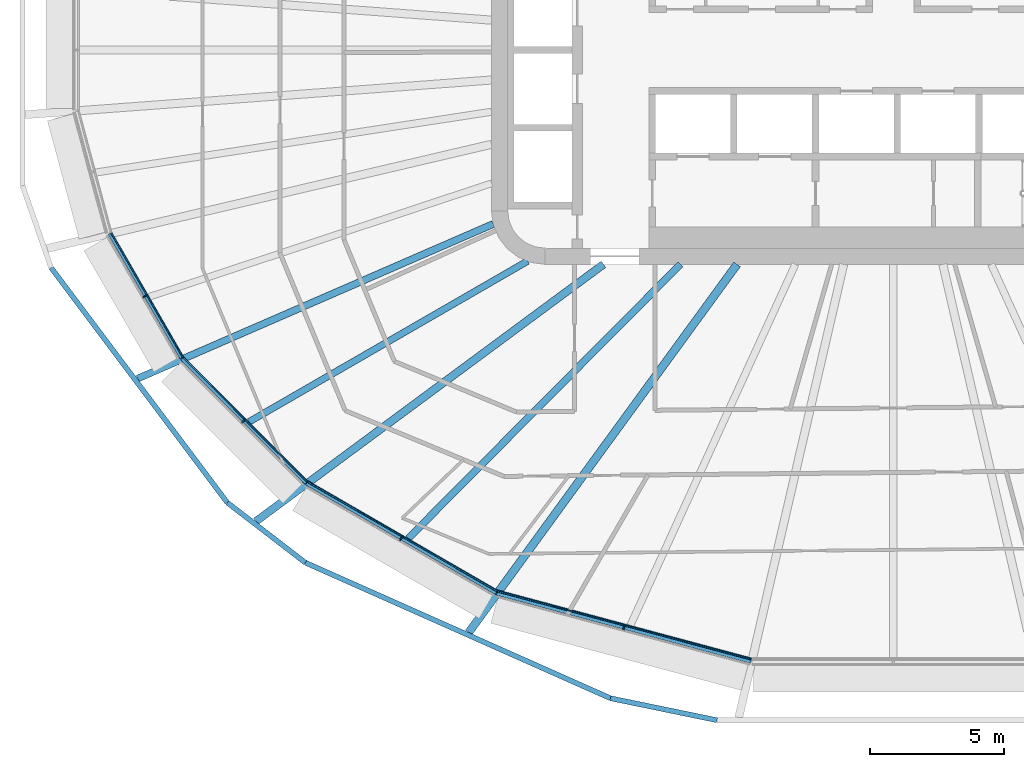
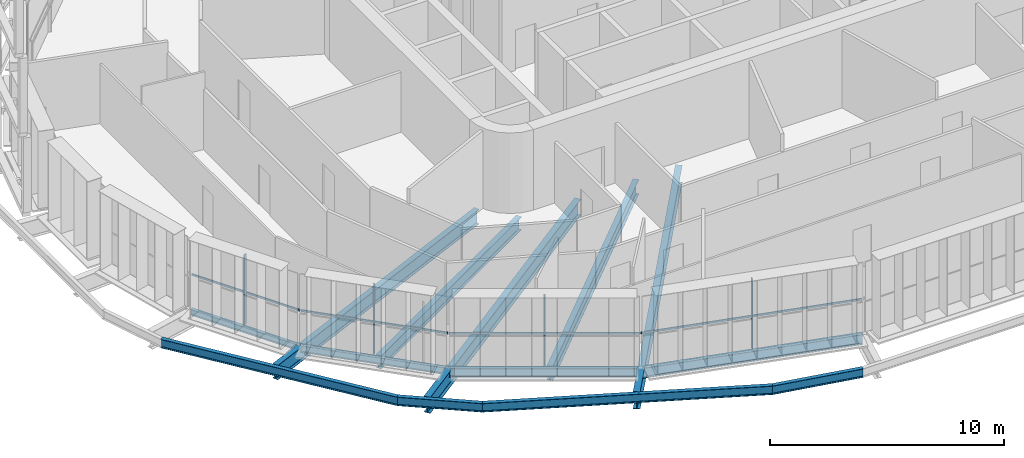
# One storey, part 1 of 24: 13 beams, 8 members, 4 elements without a shape of their own.
"""IFC4 building model written with IfcOpenShell, lengths in metres."""

from ifc_helpers import new_model, si_unit, direction, frame, origin, origin_2d, place, context, subcontext, project, spatial, rectangle, i_section, extrude, material, layer, layer_set, material_profile, profile_set, type_object, element, aggregate, save


model = new_model("IFC4")

# Units and contexts
model_context = context("Model", 3, precision=1e-05, world=origin(), true_north=direction((0.0, 1.0)))
body_context = subcontext(model_context, "Body", "Model", "MODEL_VIEW")
ifc_project = project(units=[si_unit("LENGTHUNIT", "METRE"), si_unit("AREAUNIT", "SQUARE_METRE"), si_unit("VOLUMEUNIT", "CUBIC_METRE"), si_unit("PLANEANGLEUNIT", "RADIAN"), si_unit("MASSUNIT", "GRAM", prefix="KILO")], contexts=[model_context])

# Site, building, storey
site_placement = place(None, origin())
site = spatial("IfcSite", under=ifc_project, at=site_placement, CompositionType="ELEMENT")
building_placement = place(site_placement, origin())
building = spatial("IfcBuilding", under=site, at=building_placement, Name="Sahrelin Media Tower", CompositionType="ELEMENT")
storey_placement = place(building_placement, frame((0.0, 0.0, 58.800048828125)))
storey = spatial("IfcBuildingStorey", under=building, at=storey_placement, Name="L09", CompositionType="ELEMENT", Elevation=58.800048828125)

# Beams
ifc_material_1 = material(Name="Steel S355", Category="steel")
ifc_material_profile_1 = material_profile(ifc_material_1, i_section(OverallWidth=0.1650390625, OverallDepth=0.303466796875, WebThickness=0.006103515625, FlangeThickness=0.01025390625, FilletRadius=0.0087890625, at=origin_2d()), Name="UB 305x165x40")
ifc_profile_set_1 = profile_set([ifc_material_profile_1], Name="Steel S355")
beam_type_1 = type_object("IfcBeamType", Name="Edge beam EB2", PredefinedType="BEAM", material=ifc_profile_set_1)
beam_1_placement = place(storey_placement, frame((-26.554443359375, -11.48974609375, -0.3017578125), z_axis=(-0.500011394563, 0.86601882503, 0.0), x_axis=(-0.86601882503, -0.500011394563, 0.0)))
element("IfcBeam", 1, at=beam_1_placement, inside=storey, type_object=beam_type_1, Name="Edge beam L09-11", PredefinedType="BEAM", context=body_context, shape_type="SweptSolid", body=[
    extrude(i_section(OverallWidth=0.1650390625, OverallDepth=0.303466796875, WebThickness=0.006103515625, FlangeThickness=0.01025390625, FilletRadius=0.0087890625, at=origin_2d()), origin(), (0.0, 0.0, 1.0), 5.363525390625),
])
ifc_material_profile_2 = material_profile(ifc_material_1, i_section(OverallWidth=0.17138671875, OverallDepth=0.35498046875, WebThickness=0.00732421875, FlangeThickness=0.011474609375, FilletRadius=0.01025390625, at=origin_2d()), Name="UB 356x171x51")
ifc_profile_set_2 = profile_set([ifc_material_profile_2], Name="Steel S355")
beam_type_2 = type_object("IfcBeamType", Name="Edge beam EB3", PredefinedType="BEAM", material=ifc_profile_set_2)
beam_2_placement = place(storey_placement, frame((-21.91455078125, -16.135009765625, -0.32763671875), z_axis=(-0.707106781187, 0.707106781187, 0.0), x_axis=(-0.707106781187, -0.707106781187, 0.0)))
element("IfcBeam", 2, at=beam_2_placement, inside=storey, type_object=beam_type_2, Name="Edge beam L09-10", PredefinedType="BEAM", context=body_context, shape_type="SweptSolid", body=[
    extrude(i_section(OverallWidth=0.17138671875, OverallDepth=0.35498046875, WebThickness=0.00732421875, FlangeThickness=0.011474609375, FilletRadius=0.01025390625, at=origin_2d()), origin(), (0.0, 0.0, 1.0), 6.536865234375),
])
ifc_material_profile_3 = material_profile(ifc_material_1, i_section(OverallWidth=0.1904296875, OverallDepth=0.45703125, WebThickness=0.009033203125, FlangeThickness=0.014404296875, FilletRadius=0.01025390625, at=origin_2d()), Name="UB 457x191x74")
ifc_profile_set_3 = profile_set([ifc_material_profile_3], Name="Steel S355")
beam_type_3 = type_object("IfcBeamType", Name="Edge beam EB5", PredefinedType="BEAM", material=ifc_profile_set_3)
beam_3_placement = place(storey_placement, frame((-14.8134765625, -20.2392578125, -0.378662109375), z_axis=(-0.866019440968, 0.500010327758, 0.0), x_axis=(-0.500010327758, -0.866019440968, 0.0)))
element("IfcBeam", 3, at=beam_3_placement, inside=storey, type_object=beam_type_3, Name="Edge beam L09-09", PredefinedType="BEAM", context=body_context, shape_type="SweptSolid", body=[
    extrude(i_section(OverallWidth=0.1904296875, OverallDepth=0.45703125, WebThickness=0.009033203125, FlangeThickness=0.014404296875, FilletRadius=0.01025390625, at=origin_2d()), origin(), (0.0, 0.0, 1.0), 8.173095703125),
])
ifc_material_profile_4 = material_profile(ifc_material_1, i_section(OverallWidth=0.208740234375, OverallDepth=0.5283203125, WebThickness=0.009521484375, FlangeThickness=0.01318359375, FilletRadius=0.0126953125, at=origin_2d()), Name="UB 533x210x82")
ifc_profile_set_4 = profile_set([ifc_material_profile_4], Name="Steel S355")
beam_type_4 = type_object("IfcBeamType", Name="Edge beam EB6", PredefinedType="BEAM", material=ifc_profile_set_4)
beam_4_placement = place(storey_placement, frame((-5.3037109375, -22.791259765625, -0.414306640625), z_axis=(-0.96592551844, 0.25882019401, 0.0), x_axis=(-0.25882019401, -0.96592551844, 0.0)))
element("IfcBeam", 4, at=beam_4_placement, inside=storey, type_object=beam_type_4, Name="Edge beam L09-08", PredefinedType="BEAM", context=body_context, shape_type="SweptSolid", body=[
    extrude(i_section(OverallWidth=0.208740234375, OverallDepth=0.5283203125, WebThickness=0.009521484375, FlangeThickness=0.01318359375, FilletRadius=0.0126953125, at=origin_2d()), origin(), (0.0, 0.0, 1.0), 9.817626953125),
])

# Curtain wall, member
ifc_material_2 = material(Name="Champagne anodised aluminium 6063-T6", Category="aluminium")
ifc_layer = layer(ifc_material_2, 0.14990234375)
ifc_layer_set = layer_set([ifc_layer], Name="Tower ribbon curtain wall")
curtain_wall_type = type_object("IfcCurtainWallType", Name="Tower ribbon curtain wall", PredefinedType="NOTDEFINED", material=ifc_layer_set)
curtain_wall_1_placement = place(storey_placement, frame((-28.025390625, -9.2421875, 0.0), z_axis=(0.0, 0.0, 1.0), x_axis=(1.0, 0.0, 0.0)))
curtain_wall_1 = element("IfcCurtainWall", 5, at=curtain_wall_1_placement, inside=storey, type_object=curtain_wall_type, Name="L09:CW:L09-14", PredefinedType="NOTDEFINED")
ifc_material_profile_5 = material_profile(ifc_material_2, rectangle(XDim=0.06005859375, YDim=0.14990234375, at=origin_2d()), Name="Mullion 60x150")
ifc_profile_set_5 = profile_set([ifc_material_profile_5], Name="Champagne anodised aluminium 6063-T6")
member_type_1 = type_object("IfcMemberType", Name="Mullion 60x150 CW1", PredefinedType="MULLION", material=ifc_profile_set_5)
member_1_placement = place(storey_placement, frame((-27.943115234375, -9.194580078125, 0.0), z_axis=(0.0, 0.0, 1.0), x_axis=(0.500007557478, -0.866021040428, 0.0)))
member_1 = element("IfcMember", 6, at=member_1_placement, type_object=member_type_1, Name="L09:CWM:L09-14", PredefinedType="MULLION", context=body_context, shape_type="SweptSolid", body=[
    extrude(rectangle(XDim=0.06005859375, YDim=0.14990234375, at=origin_2d()), origin(), (0.0, 0.0, 1.0), 3.6484375),
])

curtain_wall_2_placement = place(storey_placement, frame((-24.331787109375, -13.929931640625, 0.0), z_axis=(0.0, 0.0, 1.0), x_axis=(1.0, 0.0, 0.0)))
curtain_wall_2 = element("IfcCurtainWall", 7, at=curtain_wall_2_placement, inside=storey, type_object=curtain_wall_type, Name="L09:CW:L09-15", PredefinedType="NOTDEFINED")
member_2_placement = place(storey_placement, frame((-24.2646484375, -13.86279296875, 0.0), z_axis=(0.0, 0.0, 1.0), x_axis=(0.707106781187, -0.707106781187, 0.0)))
member_2 = element("IfcMember", 8, at=member_2_placement, type_object=member_type_1, Name="L09:CWM:L09-15", PredefinedType="MULLION", context=body_context, shape_type="SweptSolid", body=[
    extrude(rectangle(XDim=0.06005859375, YDim=0.14990234375, at=origin_2d()), origin(), (0.0, 0.0, 1.0), 3.6484375),
])

curtain_wall_3_placement = place(storey_placement, frame((-18.427490234375, -18.32568359375, 0.0), z_axis=(0.0, 0.0, 1.0), x_axis=(1.0, 0.0, 0.0)))
curtain_wall_3 = element("IfcCurtainWall", 9, at=curtain_wall_3_placement, inside=storey, type_object=curtain_wall_type, Name="L09:CW:L09-16", PredefinedType="NOTDEFINED")
member_3_placement = place(storey_placement, frame((-18.3798828125, -18.24365234375, 0.0), z_axis=(0.0, 0.0, 1.0), x_axis=(0.866025403784, -0.5, 0.0)))
member_3 = element("IfcMember", 10, at=member_3_placement, type_object=member_type_1, Name="L09:CWM:L09-16", PredefinedType="MULLION", context=body_context, shape_type="SweptSolid", body=[
    extrude(rectangle(XDim=0.06005859375, YDim=0.14990234375, at=origin_2d()), origin(), (0.0, 0.0, 1.0), 3.6484375),
])

curtain_wall_4_placement = place(storey_placement, frame((-10.083984375, -21.665771484375, 0.0), z_axis=(0.0, 0.0, 1.0), x_axis=(1.0, 0.0, 0.0)))
curtain_wall_4 = element("IfcCurtainWall", 11, at=curtain_wall_4_placement, inside=storey, type_object=curtain_wall_type, Name="L09:CW:L09-17", PredefinedType="NOTDEFINED")
member_4_placement = place(storey_placement, frame((-10.059326171875, -21.573974609375, 0.0), z_axis=(0.0, 0.0, 1.0), x_axis=(0.965924471102, -0.258824102675, 0.0)))
member_4 = element("IfcMember", 12, at=member_4_placement, type_object=member_type_1, Name="L09:CWM:L09-17", PredefinedType="MULLION", context=body_context, shape_type="SweptSolid", body=[
    extrude(rectangle(XDim=0.06005859375, YDim=0.14990234375, at=origin_2d()), origin(), (0.0, 0.0, 1.0), 3.6484375),
])

# Beams
ifc_material_profile_6 = material_profile(ifc_material_1, i_section(OverallWidth=0.291748046875, OverallDepth=0.8349609375, WebThickness=0.013916015625, FlangeThickness=0.018798828125, FilletRadius=0.017822265625, at=origin_2d()), Name="UB 838x292x176")
ifc_profile_set_6 = profile_set([ifc_material_profile_6], Name="Steel S355")
beam_type_5 = type_object("IfcBeamType", Name="Radial primary beam PB10", PredefinedType="BEAM", material=ifc_profile_set_6)
beam_5_placement = place(storey_placement, frame((-10.818603515625, -8.0, -0.567626953125), z_axis=(-0.804053202337, -0.594557354518, 0.0), x_axis=(0.594557354518, -0.804053202337, 0.0)))
element("IfcBeam", 13, at=beam_5_placement, inside=storey, type_object=beam_type_5, Name="Radial beam L09-16", PredefinedType="BEAM", context=body_context, shape_type="SweptSolid", body=[
    extrude(i_section(OverallWidth=0.291748046875, OverallDepth=0.8349609375, WebThickness=0.013916015625, FlangeThickness=0.018798828125, FilletRadius=0.017822265625, at=origin_2d()), origin(), (0.0, 0.0, 1.0), 16.13916015625),
])
ifc_material_profile_7 = material_profile(ifc_material_1, i_section(OverallWidth=0.30322265625, OverallDepth=0.903076171875, WebThickness=0.01513671875, FlangeThickness=0.020263671875, FilletRadius=0.01904296875, at=origin_2d()), Name="UB 914x305x201")
ifc_profile_set_7 = profile_set([ifc_material_profile_7], Name="Steel S355")
beam_type_6 = type_object("IfcBeamType", Name="Radial primary beam PB11", PredefinedType="BEAM", material=ifc_profile_set_7)
beam_6_placement = place(storey_placement, frame((-5.830810546875, -8.0, -0.6015625), z_axis=(-0.589006176074, -0.808128532194, 0.0), x_axis=(0.808128532194, -0.589006176074, 0.0)))
element("IfcBeam", 14, at=beam_6_placement, inside=storey, type_object=beam_type_6, Name="Radial beam L09-17", PredefinedType="BEAM", context=body_context, shape_type="SweptSolid", body=[
    extrude(i_section(OverallWidth=0.30322265625, OverallDepth=0.903076171875, WebThickness=0.01513671875, FlangeThickness=0.020263671875, FilletRadius=0.01904296875, at=origin_2d()), origin(), (0.0, 0.0, 1.0), 17.0068359375),
])
ifc_material_profile_8 = material_profile(ifc_material_1, i_section(OverallWidth=0.26513671875, OverallDepth=0.75390625, WebThickness=0.0126953125, FlangeThickness=0.017578125, FilletRadius=0.0166015625, at=origin_2d()), Name="UB 762x267x147")
ifc_profile_set_8 = profile_set([ifc_material_profile_8], Name="Steel S355")
beam_type_7 = type_object("IfcBeamType", Name="Radial primary beam PB9", PredefinedType="BEAM", material=ifc_profile_set_8)
beam_7_placement = place(storey_placement, frame((-14.93505859375, -6.493408203125, -0.527099609375), z_axis=(-0.917065499271, -0.398736592309, 0.0), x_axis=(0.398736592309, -0.917065499271, 0.0)))
element("IfcBeam", 15, at=beam_7_placement, inside=storey, type_object=beam_type_7, Name="Radial beam L09-15", PredefinedType="BEAM", context=body_context, shape_type="SweptSolid", body=[
    extrude(i_section(OverallWidth=0.26513671875, OverallDepth=0.75390625, WebThickness=0.0126953125, FlangeThickness=0.017578125, FilletRadius=0.0166015625, at=origin_2d()), origin(), (0.0, 0.0, 1.0), 14.47998046875),
])
ifc_material_profile_9 = material_profile(ifc_material_1, i_section(OverallWidth=0.2529296875, OverallDepth=0.677978515625, WebThickness=0.01171875, FlangeThickness=0.01611328125, FilletRadius=0.01513671875, at=origin_2d()), Name="UB 686x254x125")
ifc_profile_set_9 = profile_set([ifc_material_profile_9], Name="Steel S355")
beam_type_8 = type_object("IfcBeamType", Name="Radial secondary beam SB8", PredefinedType="BEAM", material=ifc_profile_set_9)
beam_8_placement = place(storey_placement, frame((-13.6494140625, -7.877197265625, -0.489013671875), z_axis=(-0.866108058974, -0.499856809677, 0.0), x_axis=(0.499856809677, -0.866108058974, 0.0)))
element("IfcBeam", 16, at=beam_8_placement, inside=storey, type_object=beam_type_8, Name="Secondary beam L09-15", PredefinedType="BEAM", context=body_context, shape_type="SweptSolid", body=[
    extrude(i_section(OverallWidth=0.2529296875, OverallDepth=0.677978515625, WebThickness=0.01171875, FlangeThickness=0.01611328125, FilletRadius=0.01513671875, at=origin_2d()), origin(), (0.0, 0.0, 1.0), 12.00732421875),
])
ifc_material_profile_10 = material_profile(ifc_material_1, i_section(OverallWidth=0.26513671875, OverallDepth=0.75390625, WebThickness=0.0126953125, FlangeThickness=0.017578125, FilletRadius=0.0166015625, at=origin_2d()), Name="UB 762x267x147")
ifc_profile_set_10 = profile_set([ifc_material_profile_10], Name="Steel S355")
beam_type_9 = type_object("IfcBeamType", Name="Radial secondary beam SB9", PredefinedType="BEAM", material=ifc_profile_set_10)
beam_9_placement = place(storey_placement, frame((-7.945068359375, -8.0, -0.527099609375), z_axis=(-0.704664058133, -0.709541094775, 0.0), x_axis=(0.709541094775, -0.704664058133, 0.0)))
element("IfcBeam", 17, at=beam_9_placement, inside=storey, type_object=beam_type_9, Name="Secondary beam L09-16", PredefinedType="BEAM", context=body_context, shape_type="SweptSolid", body=[
    extrude(i_section(OverallWidth=0.26513671875, OverallDepth=0.75390625, WebThickness=0.0126953125, FlangeThickness=0.017578125, FilletRadius=0.0166015625, at=origin_2d()), origin(), (0.0, 0.0, 1.0), 14.4169921875),
])
ifc_material_profile_11 = material_profile(ifc_material_1, i_section(OverallWidth=0.1904296875, OverallDepth=0.45703125, WebThickness=0.009033203125, FlangeThickness=0.014404296875, FilletRadius=0.01025390625, at=origin_2d()), Name="UB 457x191x74")
ifc_profile_set_11 = profile_set([ifc_material_profile_11], Name="Steel S355")
beam_type_10 = type_object("IfcBeamType", Name="Tie chord TC5", PredefinedType="BEAM", material=ifc_profile_set_11)
beam_10_placement = place(storey_placement, frame((-31.440673828125, -8.12451171875, -0.378662109375), z_axis=(0.600064126043, -0.799951901452, 0.0), x_axis=(0.799951901452, 0.600064126043, 0.0)))
element("IfcBeam", 18, at=beam_10_placement, inside=storey, type_object=beam_type_10, Name="Tie chord L09-14", PredefinedType="BEAM", context=body_context, shape_type="SweptSolid", body=[
    extrude(i_section(OverallWidth=0.1904296875, OverallDepth=0.45703125, WebThickness=0.009033203125, FlangeThickness=0.014404296875, FilletRadius=0.01025390625, at=origin_2d()), origin(), (0.0, 0.0, 1.0), 10.96435546875),
])
beam_11_placement = place(storey_placement, frame((-24.861328125, -16.8955078125, -0.378662109375), z_axis=(0.792455930627, -0.609929174588, 0.0), x_axis=(0.609929174588, 0.792455930627, 0.0)))
element("IfcBeam", 19, at=beam_11_placement, inside=storey, type_object=beam_type_10, Name="Tie chord L09-15", PredefinedType="BEAM", context=body_context, shape_type="SweptSolid", body=[
    extrude(i_section(OverallWidth=0.1904296875, OverallDepth=0.45703125, WebThickness=0.009033203125, FlangeThickness=0.014404296875, FilletRadius=0.01025390625, at=origin_2d()), origin(), (0.0, 0.0, 1.0), 3.6728515625),
])
beam_12_placement = place(storey_placement, frame((-21.95068359375, -19.1357421875, -0.378662109375), z_axis=(0.91383253847, -0.406091235602, 0.0), x_axis=(0.406091235602, 0.91383253847, 0.0)))
element("IfcBeam", 20, at=beam_12_placement, inside=storey, type_object=beam_type_10, Name="Tie chord L09-16", PredefinedType="BEAM", context=body_context, shape_type="SweptSolid", body=[
    extrude(i_section(OverallWidth=0.1904296875, OverallDepth=0.45703125, WebThickness=0.009033203125, FlangeThickness=0.014404296875, FilletRadius=0.01025390625, at=origin_2d()), origin(), (0.0, 0.0, 1.0), 12.469970703125),
])
beam_13_placement = place(storey_placement, frame((-10.55517578125, -24.19970703125, -0.378662109375), z_axis=(0.979385716401, -0.201999055716, 0.0), x_axis=(0.201999055716, 0.979385716401, 0.0)))
element("IfcBeam", 21, at=beam_13_placement, inside=storey, type_object=beam_type_10, Name="Tie chord L09-17", PredefinedType="BEAM", context=body_context, shape_type="SweptSolid", body=[
    extrude(i_section(OverallWidth=0.1904296875, OverallDepth=0.45703125, WebThickness=0.009033203125, FlangeThickness=0.014404296875, FilletRadius=0.01025390625, at=origin_2d()), origin(), (0.0, 0.0, 1.0), 4.059814453125),
])

# Member
ifc_material_profile_12 = material_profile(ifc_material_2, rectangle(XDim=0.050048828125, YDim=0.10009765625, at=origin_2d()), Name="Transom 50x100")
ifc_profile_set_12 = profile_set([ifc_material_profile_12], Name="Champagne anodised aluminium 6063-T6")
member_type_2 = type_object("IfcMemberType", Name="Transom 50x100 CW1", PredefinedType="USERDEFINED", material=ifc_profile_set_12)
member_5_placement = place(storey_placement, frame((-29.189453125, -6.835693359375, 1.599853515625), z_axis=(0.500014410368, -0.866017083794, 0.0), x_axis=(0.866017083794, 0.500014410368, 0.0)))
member_5 = element("IfcMember", 22, at=member_5_placement, type_object=member_type_2, Name="L09:CWT:L09-14", ObjectType="TRANSOM", PredefinedType="USERDEFINED", context=body_context, shape_type="SweptSolid", body=[
    extrude(rectangle(XDim=0.050048828125, YDim=0.10009765625, at=origin_2d()), origin(), (0.0, 0.0, 1.0), 5.332275390625),
])

aggregate(curtain_wall_1, [member_1, member_5])

member_6_placement = place(storey_placement, frame((-26.493896484375, -11.491943359375, 1.599853515625), z_axis=(0.707088017324, -0.707125544551, 0.0), x_axis=(0.707125544551, 0.707088017324, 0.0)))
member_6 = element("IfcMember", 23, at=member_6_placement, type_object=member_type_2, Name="L09:CWT:L09-15", ObjectType="TRANSOM", PredefinedType="USERDEFINED", context=body_context, shape_type="SweptSolid", body=[
    extrude(rectangle(XDim=0.050048828125, YDim=0.10009765625, at=origin_2d()), origin(), (0.0, 0.0, 1.0), 6.505615234375),
])

aggregate(curtain_wall_2, [member_2, member_6])

member_7_placement = place(storey_placement, frame((-21.85546875, -16.12158203125, 1.599853515625), z_axis=(0.866031287275, -0.499989809357, 0.0), x_axis=(0.499989809357, 0.866031287275, 0.0)))
member_7 = element("IfcMember", 24, at=member_7_placement, type_object=member_type_2, Name="L09:CWT:L09-16", ObjectType="TRANSOM", PredefinedType="USERDEFINED", context=body_context, shape_type="SweptSolid", body=[
    extrude(rectangle(XDim=0.050048828125, YDim=0.10009765625, at=origin_2d()), origin(), (0.0, 0.0, 1.0), 8.141845703125),
])

aggregate(curtain_wall_3, [member_3, member_7])

member_8_placement = place(storey_placement, frame((-14.760009765625, -20.2109375, 1.599853515625), z_axis=(0.965924109798, -0.258825451049, 0.0), x_axis=(0.258825451049, 0.965924109798, 0.0)))
member_8 = element("IfcMember", 25, at=member_8_placement, type_object=member_type_2, Name="L09:CWT:L09-17", ObjectType="TRANSOM", PredefinedType="USERDEFINED", context=body_context, shape_type="SweptSolid", body=[
    extrude(rectangle(XDim=0.050048828125, YDim=0.10009765625, at=origin_2d()), origin(), (0.0, 0.0, 1.0), 9.786376953125),
])

aggregate(curtain_wall_4, [member_4, member_8])

save(model, "model.ifc")
